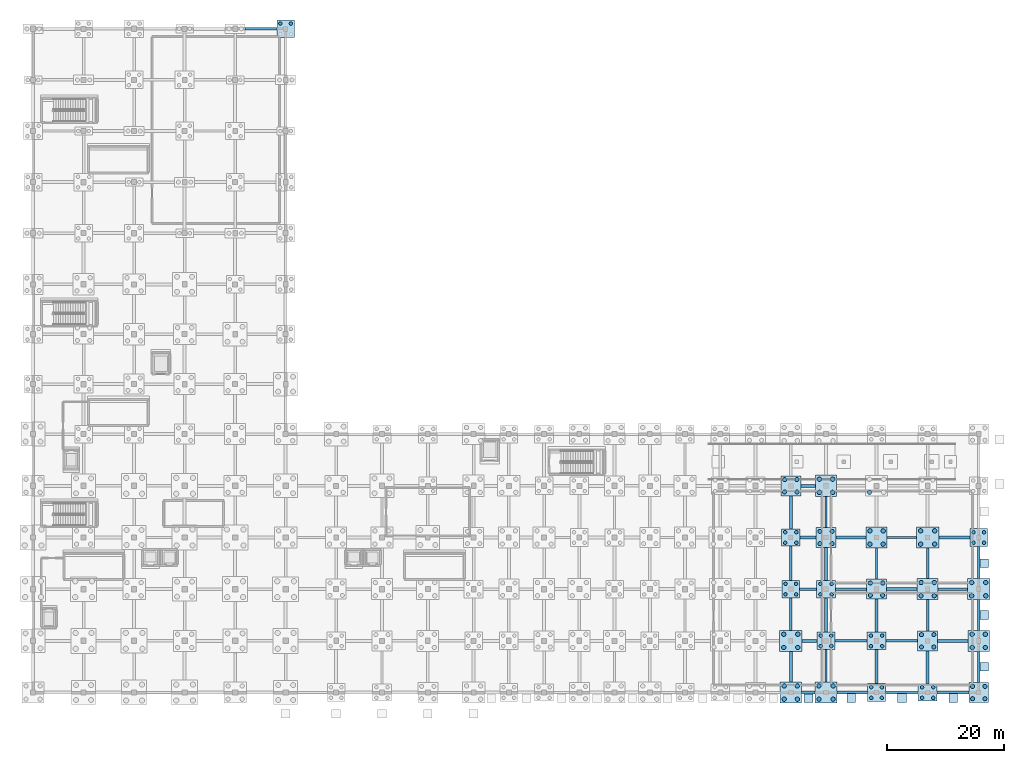
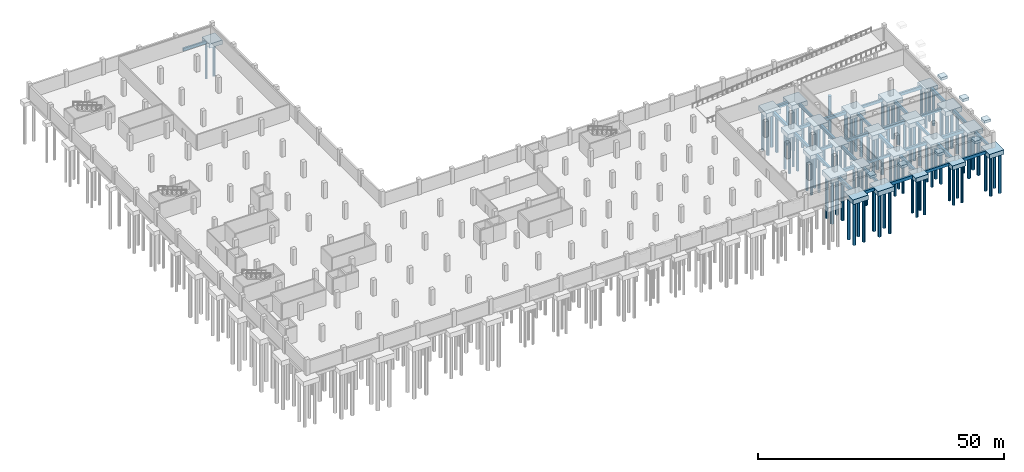
# One storey, part 9 of 28: 91 piles, 65 footings.
"""IFC4 building model written with IfcOpenShell, lengths in metres."""

from ifc_helpers import new_model, si_unit, direction, frame, origin, origin_2d, place, context, subcontext, project, spatial, rectangle, circle, extrude, material, material_profile, profile_set, type_object, element, save


model = new_model("IFC4")

# Units and contexts
model_context = context("Model", 3, precision=1e-05, world=origin(), true_north=direction((0.0, 1.0)))
body_context = subcontext(model_context, "Body", "Model", "MODEL_VIEW")
ifc_project = project(units=[si_unit("LENGTHUNIT", "METRE"), si_unit("AREAUNIT", "SQUARE_METRE"), si_unit("VOLUMEUNIT", "CUBIC_METRE"), si_unit("PLANEANGLEUNIT", "RADIAN"), si_unit("MASSUNIT", "GRAM", prefix="KILO")], contexts=[model_context])

# Site, building, storey
site_placement = place(None, origin())
site = spatial("IfcSite", under=ifc_project, at=site_placement, CompositionType="ELEMENT")
building_placement = place(site_placement, origin())
building = spatial("IfcBuilding", under=site, at=building_placement, Name="Varnakota Cinema and Media Centre", CompositionType="ELEMENT")
storey_placement = place(building_placement, frame((0.0, 0.0, -4.199951171875)))
storey = spatial("IfcBuildingStorey", under=building, at=storey_placement, Name="B1", CompositionType="ELEMENT", Elevation=-4.199951171875)

# Footings
ifc_material_1 = material(Name="Concrete M35", Category="concrete")
ifc_material_profile_1 = material_profile(ifc_material_1, rectangle(XDim=0.39990234375, YDim=0.699951171875, at=origin_2d()), Name="FB 400x700")
ifc_profile_set_1 = profile_set([ifc_material_profile_1], Name="Concrete M35")
footing_type_1 = type_object("IfcFootingType", Name="FB-400x700", PredefinedType="FOOTING_BEAM", material=ifc_profile_set_1)
footing_1_placement = place(storey_placement, frame((145.10009765625, 0.0, -0.60009765625), z_axis=(1.0, 0.0, 0.0), x_axis=(0.0, 1.0, 0.0)))
element("IfcFooting", 1, at=footing_1_placement, inside=storey, type_object=footing_type_1, Name="Foundation tie beam W-X/1", PredefinedType="FOOTING_BEAM", context=body_context, shape_type="SweptSolid", body=[
    extrude(rectangle(XDim=0.39990234375, YDim=0.699951171875, at=origin_2d()), origin(), (0.0, 0.0, 1.0), 5.599853515625),
])
footing_2_placement = place(storey_placement, frame((136.5, 8.800048828125, -0.60009765625), z_axis=(1.0, 0.0, 0.0), x_axis=(0.0, 1.0, 0.0)))
element("IfcFooting", 2, at=footing_2_placement, inside=storey, type_object=footing_type_1, Name="Foundation tie beam V-W/2", PredefinedType="FOOTING_BEAM", context=body_context, shape_type="SweptSolid", body=[
    extrude(rectangle(XDim=0.39990234375, YDim=0.699951171875, at=origin_2d()), origin(), (0.0, 0.0, 1.0), 5.5),
])
footing_3_placement = place(storey_placement, frame((130.5, 17.60009765625, -0.60009765625), z_axis=(1.0, 0.0, 0.0), x_axis=(0.0, 1.0, 0.0)))
element("IfcFooting", 3, at=footing_3_placement, inside=storey, type_object=footing_type_1, Name="Foundation tie beam U-V/3", PredefinedType="FOOTING_BEAM", context=body_context, shape_type="SweptSolid", body=[
    extrude(rectangle(XDim=0.39990234375, YDim=0.699951171875, at=origin_2d()), origin(), (0.0, 0.0, 1.0), 2.89990234375),
])
for number, where, z_axis, x_axis, name in (
    (4, (154.10009765625, 17.60009765625, -0.60009765625), (1.0, 0.0, 0.0), (0.0, 1.0, 0.0), "Foundation tie beam X-Y/3"),
    (5, (145.39990234375, 26.39990234375, -0.60009765625), (1.0, 0.0, 0.0), (0.0, 1.0, 0.0), "Foundation tie beam W-X/4"),
):
    element("IfcFooting", number, at=place(storey_placement, frame(where, z_axis=z_axis, x_axis=x_axis)), inside=storey, type_object=footing_type_1, Name=name, PredefinedType="FOOTING_BEAM", context=body_context, shape_type="SweptSolid", body=[
        extrude(rectangle(XDim=0.39990234375, YDim=0.699951171875, at=origin_2d()), origin(), (0.0, 0.0, 1.0), 5.0),
    ])
footing_4_placement = place(storey_placement, frame((36.10009765625, 113.0, -0.60009765625), z_axis=(1.0, 0.0, 0.0), x_axis=(0.0, 1.0, 0.0)))
element("IfcFooting", 6, at=footing_4_placement, inside=storey, type_object=footing_type_1, Name="Foundation tie beam E-F/14", PredefinedType="FOOTING_BEAM", context=body_context, shape_type="SweptSolid", body=[
    extrude(rectangle(XDim=0.39990234375, YDim=0.699951171875, at=origin_2d()), origin(), (0.0, 0.0, 1.0), 5.39990234375),
])
for number, where, z_axis, x_axis, name in (
    (7, (129.0, 10.574951171875, -0.60009765625), (0.0, 1.0, 0.0), (-1.0, 0.0, 0.0), "Foundation tie beam U/2-3"),
    (8, (135.0, 1.77490234375, -0.60009765625), (0.0, 1.0, 0.0), (-1.0, 0.0, 0.0), "Foundation tie beam V/1-2"),
):
    element("IfcFooting", number, at=place(storey_placement, frame(where, z_axis=z_axis, x_axis=x_axis)), inside=storey, type_object=footing_type_1, Name=name, PredefinedType="FOOTING_BEAM", context=body_context, shape_type="SweptSolid", body=[
        extrude(rectangle(XDim=0.39990234375, YDim=0.699951171875, at=origin_2d()), origin(), (0.0, 0.0, 1.0), 5.525146484375),
    ])
footing_5_placement = place(storey_placement, frame((135.0, 28.10009765625, -0.60009765625), z_axis=(0.0, 1.0, 0.0), x_axis=(-1.0, 0.0, 0.0)))
element("IfcFooting", 9, at=footing_5_placement, inside=storey, type_object=footing_type_1, Name="Foundation tie beam V/4-5", PredefinedType="FOOTING_BEAM", context=body_context, shape_type="SweptSolid", body=[
    extrude(rectangle(XDim=0.39990234375, YDim=0.699951171875, at=origin_2d()), origin(), (0.0, 0.0, 1.0), 5.2998046875),
])
for number, where, z_axis, x_axis, name in (
    (10, (143.60009765625, 19.300048828125, -0.60009765625), (0.0, 1.0, 0.0), (-1.0, 0.0, 0.0), "Foundation tie beam W/3-4"),
    (11, (152.300048828125, 10.5, -0.60009765625), (0.0, 1.0, 0.0), (-1.0, 0.0, 0.0), "Foundation tie beam X/2-3"),
    (12, (161.0, 1.699951171875, -0.60009765625), (0.0, 1.0, 0.0), (-1.0, 0.0, 0.0), "Foundation tie beam Y/1-2"),
):
    element("IfcFooting", number, at=place(storey_placement, frame(where, z_axis=z_axis, x_axis=x_axis)), inside=storey, type_object=footing_type_1, Name=name, PredefinedType="FOOTING_BEAM", context=body_context, shape_type="SweptSolid", body=[
        extrude(rectangle(XDim=0.39990234375, YDim=0.699951171875, at=origin_2d()), origin(), (0.0, 0.0, 1.0), 5.300048828125),
    ])
ifc_material_2 = material(Name="Concrete M35", Category="concrete")
ifc_material_profile_2 = material_profile(ifc_material_2, rectangle(XDim=0.449951171875, YDim=0.75, at=origin_2d()), Name="FB 450x750")
ifc_profile_set_2 = profile_set([ifc_material_profile_2], Name="Concrete M35")
footing_type_2 = type_object("IfcFootingType", Name="FB-450x750", PredefinedType="FOOTING_BEAM", material=ifc_profile_set_2)
footing_6_placement = place(storey_placement, frame((130.800048828125, 0.0, -0.625), z_axis=(1.0, 0.0, 0.0), x_axis=(0.0, 1.0, 0.0)))
element("IfcFooting", 13, at=footing_6_placement, inside=storey, type_object=footing_type_2, Name="Foundation tie beam U-V/1", PredefinedType="FOOTING_BEAM", context=body_context, shape_type="SweptSolid", body=[
    extrude(rectangle(XDim=0.449951171875, YDim=0.75, at=origin_2d()), origin(), (0.0, 0.0, 1.0), 2.300048828125),
])
for number, where, z_axis, x_axis, name in (
    (14, (153.89990234375, 0.0, -0.625), (1.0, 0.0, 0.0), (0.0, 1.0, 0.0), "Foundation tie beam X-Y/1"),
    (15, (145.199951171875, 8.800048828125, -0.625), (1.0, 0.0, 0.0), (0.0, 1.0, 0.0), "Foundation tie beam W-X/2"),
):
    element("IfcFooting", number, at=place(storey_placement, frame(where, z_axis=z_axis, x_axis=x_axis)), inside=storey, type_object=footing_type_2, Name=name, PredefinedType="FOOTING_BEAM", context=body_context, shape_type="SweptSolid", body=[
        extrude(rectangle(XDim=0.449951171875, YDim=0.75, at=origin_2d()), origin(), (0.0, 0.0, 1.0), 5.400146484375),
    ])
footing_7_placement = place(storey_placement, frame((136.60009765625, 17.60009765625, -0.625), z_axis=(1.0, 0.0, 0.0), x_axis=(0.0, 1.0, 0.0)))
element("IfcFooting", 16, at=footing_7_placement, inside=storey, type_object=footing_type_2, Name="Foundation tie beam V-W/3", PredefinedType="FOOTING_BEAM", context=body_context, shape_type="SweptSolid", body=[
    extrude(rectangle(XDim=0.449951171875, YDim=0.75, at=origin_2d()), origin(), (0.0, 0.0, 1.0), 5.2998046875),
])
footing_8_placement = place(storey_placement, frame((130.60009765625, 26.39990234375, -0.625), z_axis=(1.0, 0.0, 0.0), x_axis=(0.0, 1.0, 0.0)))
element("IfcFooting", 17, at=footing_8_placement, inside=storey, type_object=footing_type_2, Name="Foundation tie beam U-V/4", PredefinedType="FOOTING_BEAM", context=body_context, shape_type="SweptSolid", body=[
    extrude(rectangle(XDim=0.449951171875, YDim=0.75, at=origin_2d()), origin(), (0.0, 0.0, 1.0), 2.699951171875),
])
footing_9_placement = place(storey_placement, frame((154.199951171875, 26.39990234375, -0.625), z_axis=(1.0, 0.0, 0.0), x_axis=(0.0, 1.0, 0.0)))
element("IfcFooting", 18, at=footing_9_placement, inside=storey, type_object=footing_type_2, Name="Foundation tie beam X-Y/4", PredefinedType="FOOTING_BEAM", context=body_context, shape_type="SweptSolid", body=[
    extrude(rectangle(XDim=0.449951171875, YDim=0.75, at=origin_2d()), origin(), (0.0, 0.0, 1.0), 5.300048828125),
])
for number, where, z_axis, x_axis, name in (
    (19, (129.0, 19.10009765625, -0.625), (0.0, 1.0, 0.0), (-1.0, 0.0, 0.0), "Foundation tie beam U/3-4"),
    (20, (135.0, 10.300048828125, -0.625), (0.0, 1.0, 0.0), (-1.0, 0.0, 0.0), "Foundation tie beam V/2-3"),
    (21, (143.60009765625, 1.5, -0.625), (0.0, 1.0, 0.0), (-1.0, 0.0, 0.0), "Foundation tie beam W/1-2"),
):
    element("IfcFooting", number, at=place(storey_placement, frame(where, z_axis=z_axis, x_axis=x_axis)), inside=storey, type_object=footing_type_2, Name=name, PredefinedType="FOOTING_BEAM", context=body_context, shape_type="SweptSolid", body=[
        extrude(rectangle(XDim=0.449951171875, YDim=0.75, at=origin_2d()), origin(), (0.0, 0.0, 1.0), 5.824951171875),
    ])
footing_10_placement = place(storey_placement, frame((152.300048828125, 19.39990234375, -0.625), z_axis=(0.0, 1.0, 0.0), x_axis=(-1.0, 0.0, 0.0)))
element("IfcFooting", 22, at=footing_10_placement, inside=storey, type_object=footing_type_2, Name="Foundation tie beam X/3-4", PredefinedType="FOOTING_BEAM", context=body_context, shape_type="SweptSolid", body=[
    extrude(rectangle(XDim=0.449951171875, YDim=0.75, at=origin_2d()), origin(), (0.0, 0.0, 1.0), 5.22509765625),
])
footing_11_placement = place(storey_placement, frame((161.0, 10.60009765625, -0.625), z_axis=(0.0, 1.0, 0.0), x_axis=(-1.0, 0.0, 0.0)))
element("IfcFooting", 23, at=footing_11_placement, inside=storey, type_object=footing_type_2, Name="Foundation tie beam Y/2-3", PredefinedType="FOOTING_BEAM", context=body_context, shape_type="SweptSolid", body=[
    extrude(rectangle(XDim=0.449951171875, YDim=0.75, at=origin_2d()), origin(), (0.0, 0.0, 1.0), 5.224853515625),
])
ifc_material_3 = material(Name="Concrete M35", Category="concrete")
ifc_material_profile_3 = material_profile(ifc_material_3, rectangle(XDim=0.5, YDim=0.800048828125, at=origin_2d()), Name="FB 500x800")
ifc_profile_set_3 = profile_set([ifc_material_profile_3], Name="Concrete M35")
footing_type_3 = type_object("IfcFootingType", Name="FB-500x800", PredefinedType="FOOTING_BEAM", material=ifc_profile_set_3)
footing_12_placement = place(storey_placement, frame((136.89990234375, 0.0, -0.650146484375), z_axis=(1.0, 0.0, 0.0), x_axis=(0.0, 1.0, 0.0)))
element("IfcFooting", 24, at=footing_12_placement, inside=storey, type_object=footing_type_3, Name="Foundation tie beam V-W/1", PredefinedType="FOOTING_BEAM", context=body_context, shape_type="SweptSolid", body=[
    extrude(rectangle(XDim=0.5, YDim=0.800048828125, at=origin_2d()), origin(), (0.0, 0.0, 1.0), 5.2001953125),
])
footing_13_placement = place(storey_placement, frame((130.89990234375, 8.800048828125, -0.650146484375), z_axis=(1.0, 0.0, 0.0), x_axis=(0.0, 1.0, 0.0)))
element("IfcFooting", 25, at=footing_13_placement, inside=storey, type_object=footing_type_3, Name="Foundation tie beam U-V/2", PredefinedType="FOOTING_BEAM", context=body_context, shape_type="SweptSolid", body=[
    extrude(rectangle(XDim=0.5, YDim=0.800048828125, at=origin_2d()), origin(), (0.0, 0.0, 1.0), 2.60009765625),
])
for number, where, z_axis, x_axis, name in (
    (26, (154.0, 8.800048828125, -0.650146484375), (1.0, 0.0, 0.0), (0.0, 1.0, 0.0), "Foundation tie beam X-Y/2"),
    (27, (145.300048828125, 17.60009765625, -0.650146484375), (1.0, 0.0, 0.0), (0.0, 1.0, 0.0), "Foundation tie beam W-X/3"),
):
    element("IfcFooting", number, at=place(storey_placement, frame(where, z_axis=z_axis, x_axis=x_axis)), inside=storey, type_object=footing_type_3, Name=name, PredefinedType="FOOTING_BEAM", context=body_context, shape_type="SweptSolid", body=[
        extrude(rectangle(XDim=0.5, YDim=0.800048828125, at=origin_2d()), origin(), (0.0, 0.0, 1.0), 5.199951171875),
    ])
footing_14_placement = place(storey_placement, frame((136.699951171875, 26.39990234375, -0.650146484375), z_axis=(1.0, 0.0, 0.0), x_axis=(0.0, 1.0, 0.0)))
element("IfcFooting", 28, at=footing_14_placement, inside=storey, type_object=footing_type_3, Name="Foundation tie beam V-W/4", PredefinedType="FOOTING_BEAM", context=body_context, shape_type="SweptSolid", body=[
    extrude(rectangle(XDim=0.5, YDim=0.800048828125, at=origin_2d()), origin(), (0.0, 0.0, 1.0), 5.10009765625),
])
footing_15_placement = place(storey_placement, frame((130.699951171875, 35.199951171875, -0.650146484375), z_axis=(1.0, 0.0, 0.0), x_axis=(0.0, 1.0, 0.0)))
element("IfcFooting", 29, at=footing_15_placement, inside=storey, type_object=footing_type_3, Name="Foundation tie beam U-V/5", PredefinedType="FOOTING_BEAM", context=body_context, shape_type="SweptSolid", body=[
    extrude(rectangle(XDim=0.5, YDim=0.800048828125, at=origin_2d()), origin(), (0.0, 0.0, 1.0), 2.5),
])
footing_16_placement = place(storey_placement, frame((129.0, 1.800048828125, -0.650146484375), z_axis=(0.0, 1.0, 0.0), x_axis=(-1.0, 0.0, 0.0)))
element("IfcFooting", 30, at=footing_16_placement, inside=storey, type_object=footing_type_3, Name="Foundation tie beam U/1-2", PredefinedType="FOOTING_BEAM", context=body_context, shape_type="SweptSolid", body=[
    extrude(rectangle(XDim=0.5, YDim=0.800048828125, at=origin_2d()), origin(), (0.0, 0.0, 1.0), 5.224853515625),
])
for number, where, z_axis, x_axis, name in (
    (31, (129.0, 27.875, -0.650146484375), (0.0, 1.0, 0.0), (-1.0, 0.0, 0.0), "Foundation tie beam U/4-5"),
    (32, (135.0, 19.074951171875, -0.650146484375), (0.0, 1.0, 0.0), (-1.0, 0.0, 0.0), "Foundation tie beam V/3-4"),
    (33, (143.60009765625, 10.27490234375, -0.650146484375), (0.0, 1.0, 0.0), (-1.0, 0.0, 0.0), "Foundation tie beam W/2-3"),
    (34, (152.300048828125, 1.47509765625, -0.650146484375), (0.0, 1.0, 0.0), (-1.0, 0.0, 0.0), "Foundation tie beam X/1-2"),
):
    element("IfcFooting", number, at=place(storey_placement, frame(where, z_axis=z_axis, x_axis=x_axis)), inside=storey, type_object=footing_type_3, Name=name, PredefinedType="FOOTING_BEAM", context=body_context, shape_type="SweptSolid", body=[
        extrude(rectangle(XDim=0.5, YDim=0.800048828125, at=origin_2d()), origin(), (0.0, 0.0, 1.0), 5.625),
    ])
footing_17_placement = place(storey_placement, frame((161.0, 19.375, -0.650146484375), z_axis=(0.0, 1.0, 0.0), x_axis=(-1.0, 0.0, 0.0)))
element("IfcFooting", 35, at=footing_17_placement, inside=storey, type_object=footing_type_3, Name="Foundation tie beam Y/3-4", PredefinedType="FOOTING_BEAM", context=body_context, shape_type="SweptSolid", body=[
    extrude(rectangle(XDim=0.5, YDim=0.800048828125, at=origin_2d()), origin(), (0.0, 0.0, 1.0), 5.52490234375),
])
ifc_material_4 = material(Name="Concrete M35", Category="concrete")
footing_type_4 = type_object("IfcFootingType", Name="PC-4P-600", PredefinedType="PILE_CAP", material=ifc_material_4)
for number, where, z_axis, x_axis, name in (
    (36, (43.0, 113.0, -1.30029296875), (0.0, 0.0, 1.0), (1.0, 0.0, 0.0), "Pile cap F/14"),
    (37, (129.0, 17.60009765625, -1.30029296875), (0.0, 0.0, 1.0), (1.0, 0.0, 0.0), "Pile cap U/3"),
    (38, (135.0, 8.800048828125, -1.30029296875), (0.0, 0.0, 1.0), (1.0, 0.0, 0.0), "Pile cap V/2"),
    (39, (143.60009765625, 0.0, -1.30029296875), (0.0, 0.0, 1.0), (1.0, 0.0, 0.0), "Pile cap W/1"),
    (40, (161.0, 26.39990234375, -1.30029296875), (0.0, 0.0, 1.0), (1.0, 0.0, 0.0), "Pile cap Y/4"),
):
    element("IfcFooting", number, at=place(storey_placement, frame(where, z_axis=z_axis, x_axis=x_axis)), inside=storey, type_object=footing_type_4, Name=name, PredefinedType="PILE_CAP", context=body_context, shape_type="SweptSolid", body=[
        extrude(rectangle(XDim=3.0, YDim=3.0, at=origin_2d()), origin(), (0.0, 0.0, 1.0), 1.050048828125),
    ])
ifc_material_5 = material(Name="Concrete M35", Category="concrete")
footing_type_5 = type_object("IfcFootingType", Name="PC-4P-600R", PredefinedType="PILE_CAP", material=ifc_material_5)
for number, where, z_axis, x_axis, name in (
    (41, (129.0, 26.39990234375, -1.330078125), (0.0, 0.0, 1.0), (1.0, 0.0, 0.0), "Pile cap U/4"),
    (42, (135.0, 17.60009765625, -1.330078125), (0.0, 0.0, 1.0), (1.0, 0.0, 0.0), "Pile cap V/3"),
    (43, (143.60009765625, 8.800048828125, -1.330078125), (0.0, 0.0, 1.0), (1.0, 0.0, 0.0), "Pile cap W/2"),
    (44, (152.300048828125, 0.0, -1.330078125), (0.0, 0.0, 1.0), (1.0, 0.0, 0.0), "Pile cap X/1"),
):
    element("IfcFooting", number, at=place(storey_placement, frame(where, z_axis=z_axis, x_axis=x_axis)), inside=storey, type_object=footing_type_5, Name=name, PredefinedType="PILE_CAP", context=body_context, shape_type="SweptSolid", body=[
        extrude(rectangle(XDim=3.199951171875, YDim=2.949951171875, at=origin_2d()), origin(), (0.0, 0.0, 1.0), 1.080078125),
    ])
ifc_material_6 = material(Name="Concrete M35", Category="concrete")
footing_type_6 = type_object("IfcFootingType", Name="PC-4P-700", PredefinedType="PILE_CAP", material=ifc_material_6)
for number, where, z_axis, x_axis, name in (
    (45, (129.0, 35.199951171875, -1.3701171875), (0.0, 0.0, 1.0), (1.0, 0.0, 0.0), "Pile cap U/5"),
    (46, (135.0, 26.39990234375, -1.3701171875), (0.0, 0.0, 1.0), (1.0, 0.0, 0.0), "Pile cap V/4"),
    (47, (143.60009765625, 17.60009765625, -1.3701171875), (0.0, 0.0, 1.0), (1.0, 0.0, 0.0), "Pile cap W/3"),
    (48, (152.300048828125, 8.800048828125, -1.3701171875), (0.0, 0.0, 1.0), (1.0, 0.0, 0.0), "Pile cap X/2"),
    (49, (161.0, 0.0, -1.3701171875), (0.0, 0.0, 1.0), (1.0, 0.0, 0.0), "Pile cap Y/1"),
):
    element("IfcFooting", number, at=place(storey_placement, frame(where, z_axis=z_axis, x_axis=x_axis)), inside=storey, type_object=footing_type_6, Name=name, PredefinedType="PILE_CAP", context=body_context, shape_type="SweptSolid", body=[
        extrude(rectangle(XDim=3.39990234375, YDim=3.39990234375, at=origin_2d()), origin(), (0.0, 0.0, 1.0), 1.1201171875),
    ])
ifc_material_7 = material(Name="Concrete M35", Category="concrete")
footing_type_7 = type_object("IfcFootingType", Name="PC-4P-750", PredefinedType="PILE_CAP", material=ifc_material_7)
for number, where, z_axis, x_axis, name in (
    (50, (129.0, 0.0, -1.43017578125), (0.0, 0.0, 1.0), (1.0, 0.0, 0.0), "Pile cap U/1"),
    (51, (135.0, 35.199951171875, -1.43017578125), (0.0, 0.0, 1.0), (1.0, 0.0, 0.0), "Pile cap V/5"),
    (52, (143.60009765625, 26.39990234375, -1.43017578125), (0.0, 0.0, 1.0), (1.0, 0.0, 0.0), "Pile cap W/4"),
    (53, (152.300048828125, 17.60009765625, -1.43017578125), (0.0, 0.0, 1.0), (1.0, 0.0, 0.0), "Pile cap X/3"),
    (54, (161.0, 8.800048828125, -1.43017578125), (0.0, 0.0, 1.0), (1.0, 0.0, 0.0), "Pile cap Y/2"),
):
    element("IfcFooting", number, at=place(storey_placement, frame(where, z_axis=z_axis, x_axis=x_axis)), inside=storey, type_object=footing_type_7, Name=name, PredefinedType="PILE_CAP", context=body_context, shape_type="SweptSolid", body=[
        extrude(rectangle(XDim=3.60009765625, YDim=3.60009765625, at=origin_2d()), origin(), (0.0, 0.0, 1.0), 1.179931640625),
    ])
ifc_material_8 = material(Name="Concrete M35", Category="concrete")
footing_type_8 = type_object("IfcFootingType", Name="PC-4P-750R", PredefinedType="PILE_CAP", material=ifc_material_8)
for number, where, z_axis, x_axis, name in (
    (55, (129.0, 8.800048828125, -1.4501953125), (0.0, 0.0, 1.0), (1.0, 0.0, 0.0), "Pile cap U/2"),
    (56, (135.0, 0.0, -1.4501953125), (0.0, 0.0, 1.0), (1.0, 0.0, 0.0), "Pile cap V/1"),
    (57, (152.300048828125, 26.39990234375, -1.4501953125), (0.0, 0.0, 1.0), (1.0, 0.0, 0.0), "Pile cap X/4"),
    (58, (161.0, 17.60009765625, -1.4501953125), (0.0, 0.0, 1.0), (1.0, 0.0, 0.0), "Pile cap Y/3"),
):
    element("IfcFooting", number, at=place(storey_placement, frame(where, z_axis=z_axis, x_axis=x_axis)), inside=storey, type_object=footing_type_8, Name=name, PredefinedType="PILE_CAP", context=body_context, shape_type="SweptSolid", body=[
        extrude(rectangle(XDim=3.800048828125, YDim=3.550048828125, at=origin_2d()), origin(), (0.0, 0.0, 1.0), 1.199951171875),
    ])
ifc_material_9 = material(Name="Concrete M35", Category="concrete")
footing_type_9 = type_object("IfcFootingType", Name="PF-150", PredefinedType="PAD_FOOTING", material=ifc_material_9)
for number, where, z_axis, x_axis, name in (
    (59, (132.0, -0.949951171875, 3.52490234375), (0.0, 0.0, 1.0), (1.0, 0.0, 0.0), "Hall south buttress pad footing 10"),
    (60, (139.300048828125, -0.949951171875, 3.52490234375), (0.0, 0.0, 1.0), (1.0, 0.0, 0.0), "Hall south buttress pad footing 11"),
    (61, (147.949951171875, -0.949951171875, 3.52490234375), (0.0, 0.0, 1.0), (1.0, 0.0, 0.0), "Hall south buttress pad footing 12"),
    (62, (156.64990234375, -0.949951171875, 3.52490234375), (0.0, 0.0, 1.0), (1.0, 0.0, 0.0), "Hall south buttress pad footing 13"),
    (63, (161.949951171875, 4.39990234375, 3.52490234375), (0.0, 0.0, 1.0), (1.0, 0.0, 0.0), "Hall east buttress pad footing 1"),
    (64, (161.949951171875, 13.199951171875, 3.52490234375), (0.0, 0.0, 1.0), (1.0, 0.0, 0.0), "Hall east buttress pad footing 2"),
    (65, (161.949951171875, 22.0, 3.52490234375), (0.0, 0.0, 1.0), (1.0, 0.0, 0.0), "Hall east buttress pad footing 3"),
):
    element("IfcFooting", number, at=place(storey_placement, frame(where, z_axis=z_axis, x_axis=x_axis)), inside=storey, type_object=footing_type_9, Name=name, PredefinedType="PAD_FOOTING", context=body_context, shape_type="SweptSolid", body=[
        extrude(rectangle(XDim=1.5, YDim=1.5, at=origin_2d()), origin(), (0.0, 0.0, 1.0), 0.64990234375),
    ])

# Piles
ifc_material_10 = material(Name="Concrete M35", Category="concrete")
ifc_material_profile_4 = material_profile(ifc_material_10, circle(Radius=0.300048828125, at=origin_2d()), Name="PILE D600")
ifc_profile_set_4 = profile_set([ifc_material_profile_4], Name="Concrete M35")
pile_type_1 = type_object("IfcPileType", Name="PILE-D600", PredefinedType="BORED", material=ifc_profile_set_4)
for number, where, z_axis, x_axis, name in (
    (66, (42.10009765625, 113.89990234375, -1.199951171875), (0.0, 0.0, -1.0), (1.0, 0.0, 0.0), "Bored pile F/14-3"),
    (67, (43.89990234375, 113.89990234375, -1.199951171875), (0.0, 0.0, -1.0), (1.0, 0.0, 0.0), "Bored pile F/14-4"),
    (68, (128.10009765625, 16.699951171875, -1.199951171875), (0.0, 0.0, -1.0), (1.0, 0.0, 0.0), "Bored pile U/3-1"),
    (69, (129.89990234375, 16.699951171875, -1.199951171875), (0.0, 0.0, -1.0), (1.0, 0.0, 0.0), "Bored pile U/3-2"),
    (70, (128.10009765625, 18.5, -1.199951171875), (0.0, 0.0, -1.0), (1.0, 0.0, 0.0), "Bored pile U/3-3"),
    (71, (129.89990234375, 18.5, -1.199951171875), (0.0, 0.0, -1.0), (1.0, 0.0, 0.0), "Bored pile U/3-4"),
    (72, (128.050048828125, 25.5, -1.22998046875), (0.0, 0.0, -1.0), (1.0, 0.0, 0.0), "Bored pile U/4-1"),
    (73, (129.949951171875, 25.5, -1.22998046875), (0.0, 0.0, -1.0), (1.0, 0.0, 0.0), "Bored pile U/4-2"),
    (74, (128.050048828125, 27.300048828125, -1.22998046875), (0.0, 0.0, -1.0), (1.0, 0.0, 0.0), "Bored pile U/4-3"),
    (75, (129.949951171875, 27.300048828125, -1.22998046875), (0.0, 0.0, -1.0), (1.0, 0.0, 0.0), "Bored pile U/4-4"),
    (76, (134.10009765625, 7.89990234375, -1.199951171875), (0.0, 0.0, -1.0), (1.0, 0.0, 0.0), "Bored pile V/2-1"),
    (77, (135.89990234375, 7.89990234375, -1.199951171875), (0.0, 0.0, -1.0), (1.0, 0.0, 0.0), "Bored pile V/2-2"),
    (78, (134.10009765625, 9.699951171875, -1.199951171875), (0.0, 0.0, -1.0), (1.0, 0.0, 0.0), "Bored pile V/2-3"),
    (79, (135.89990234375, 9.699951171875, -1.199951171875), (0.0, 0.0, -1.0), (1.0, 0.0, 0.0), "Bored pile V/2-4"),
    (80, (134.050048828125, 16.699951171875, -1.22998046875), (0.0, 0.0, -1.0), (1.0, 0.0, 0.0), "Bored pile V/3-1"),
    (81, (135.949951171875, 16.699951171875, -1.22998046875), (0.0, 0.0, -1.0), (1.0, 0.0, 0.0), "Bored pile V/3-2"),
    (82, (134.050048828125, 18.5, -1.22998046875), (0.0, 0.0, -1.0), (1.0, 0.0, 0.0), "Bored pile V/3-3"),
    (83, (135.949951171875, 18.5, -1.22998046875), (0.0, 0.0, -1.0), (1.0, 0.0, 0.0), "Bored pile V/3-4"),
    (84, (142.699951171875, -0.89990234375, -1.199951171875), (0.0, 0.0, -1.0), (1.0, 0.0, 0.0), "Bored pile W/1-1"),
    (85, (144.5, -0.89990234375, -1.199951171875), (0.0, 0.0, -1.0), (1.0, 0.0, 0.0), "Bored pile W/1-2"),
    (86, (142.699951171875, 0.89990234375, -1.199951171875), (0.0, 0.0, -1.0), (1.0, 0.0, 0.0), "Bored pile W/1-3"),
    (87, (144.5, 0.89990234375, -1.199951171875), (0.0, 0.0, -1.0), (1.0, 0.0, 0.0), "Bored pile W/1-4"),
    (88, (142.64990234375, 7.89990234375, -1.22998046875), (0.0, 0.0, -1.0), (1.0, 0.0, 0.0), "Bored pile W/2-1"),
    (89, (144.550048828125, 7.89990234375, -1.22998046875), (0.0, 0.0, -1.0), (1.0, 0.0, 0.0), "Bored pile W/2-2"),
    (90, (142.64990234375, 9.699951171875, -1.22998046875), (0.0, 0.0, -1.0), (1.0, 0.0, 0.0), "Bored pile W/2-3"),
    (91, (144.550048828125, 9.699951171875, -1.22998046875), (0.0, 0.0, -1.0), (1.0, 0.0, 0.0), "Bored pile W/2-4"),
    (92, (151.35009765625, -0.89990234375, -1.22998046875), (0.0, 0.0, -1.0), (1.0, 0.0, 0.0), "Bored pile X/1-1"),
    (93, (153.25, -0.89990234375, -1.22998046875), (0.0, 0.0, -1.0), (1.0, 0.0, 0.0), "Bored pile X/1-2"),
    (94, (151.35009765625, 0.89990234375, -1.22998046875), (0.0, 0.0, -1.0), (1.0, 0.0, 0.0), "Bored pile X/1-3"),
    (95, (153.25, 0.89990234375, -1.22998046875), (0.0, 0.0, -1.0), (1.0, 0.0, 0.0), "Bored pile X/1-4"),
    (96, (160.10009765625, 25.5, -1.199951171875), (0.0, 0.0, -1.0), (1.0, 0.0, 0.0), "Bored pile Y/4-1"),
    (97, (161.89990234375, 25.5, -1.199951171875), (0.0, 0.0, -1.0), (1.0, 0.0, 0.0), "Bored pile Y/4-2"),
    (98, (160.10009765625, 27.300048828125, -1.199951171875), (0.0, 0.0, -1.0), (1.0, 0.0, 0.0), "Bored pile Y/4-3"),
    (99, (161.89990234375, 27.300048828125, -1.199951171875), (0.0, 0.0, -1.0), (1.0, 0.0, 0.0), "Bored pile Y/4-4"),
):
    element("IfcPile", number, at=place(storey_placement, frame(where, z_axis=z_axis, x_axis=x_axis)), inside=storey, type_object=pile_type_1, Name=name, PredefinedType="BORED", context=body_context, shape_type="SweptSolid", body=[
        extrude(circle(Radius=0.300048828125, at=origin_2d()), origin(), (0.0, 0.0, 1.0), 9.199951171875),
    ])
ifc_material_11 = material(Name="Concrete M35", Category="concrete")
ifc_material_profile_5 = material_profile(ifc_material_11, circle(Radius=0.35009765625, at=origin_2d()), Name="PILE D700")
ifc_profile_set_5 = profile_set([ifc_material_profile_5], Name="Concrete M35")
pile_type_2 = type_object("IfcPileType", Name="PILE-D700", PredefinedType="BORED", material=ifc_profile_set_5)
for number, where, z_axis, x_axis, name in (
    (100, (127.949951171875, 34.14990234375, -1.27001953125), (0.0, 0.0, -1.0), (1.0, 0.0, 0.0), "Bored pile U/5-1"),
    (101, (130.050048828125, 34.14990234375, -1.27001953125), (0.0, 0.0, -1.0), (1.0, 0.0, 0.0), "Bored pile U/5-2"),
    (102, (127.949951171875, 36.25, -1.27001953125), (0.0, 0.0, -1.0), (1.0, 0.0, 0.0), "Bored pile U/5-3"),
    (103, (130.050048828125, 36.25, -1.27001953125), (0.0, 0.0, -1.0), (1.0, 0.0, 0.0), "Bored pile U/5-4"),
    (104, (133.949951171875, 25.35009765625, -1.27001953125), (0.0, 0.0, -1.0), (1.0, 0.0, 0.0), "Bored pile V/4-1"),
    (105, (136.050048828125, 25.35009765625, -1.27001953125), (0.0, 0.0, -1.0), (1.0, 0.0, 0.0), "Bored pile V/4-2"),
    (106, (133.949951171875, 27.449951171875, -1.27001953125), (0.0, 0.0, -1.0), (1.0, 0.0, 0.0), "Bored pile V/4-3"),
    (107, (136.050048828125, 27.449951171875, -1.27001953125), (0.0, 0.0, -1.0), (1.0, 0.0, 0.0), "Bored pile V/4-4"),
    (108, (142.550048828125, 16.550048828125, -1.27001953125), (0.0, 0.0, -1.0), (1.0, 0.0, 0.0), "Bored pile W/3-1"),
    (109, (144.64990234375, 16.550048828125, -1.27001953125), (0.0, 0.0, -1.0), (1.0, 0.0, 0.0), "Bored pile W/3-2"),
    (110, (142.550048828125, 18.64990234375, -1.27001953125), (0.0, 0.0, -1.0), (1.0, 0.0, 0.0), "Bored pile W/3-3"),
    (111, (144.64990234375, 18.64990234375, -1.27001953125), (0.0, 0.0, -1.0), (1.0, 0.0, 0.0), "Bored pile W/3-4"),
    (112, (151.25, 7.75, -1.27001953125), (0.0, 0.0, -1.0), (1.0, 0.0, 0.0), "Bored pile X/2-1"),
    (113, (153.35009765625, 7.75, -1.27001953125), (0.0, 0.0, -1.0), (1.0, 0.0, 0.0), "Bored pile X/2-2"),
    (114, (151.25, 9.85009765625, -1.27001953125), (0.0, 0.0, -1.0), (1.0, 0.0, 0.0), "Bored pile X/2-3"),
    (115, (153.35009765625, 9.85009765625, -1.27001953125), (0.0, 0.0, -1.0), (1.0, 0.0, 0.0), "Bored pile X/2-4"),
    (116, (159.949951171875, -1.050048828125, -1.27001953125), (0.0, 0.0, -1.0), (1.0, 0.0, 0.0), "Bored pile Y/1-1"),
    (117, (162.050048828125, -1.050048828125, -1.27001953125), (0.0, 0.0, -1.0), (1.0, 0.0, 0.0), "Bored pile Y/1-2"),
    (118, (159.949951171875, 1.050048828125, -1.27001953125), (0.0, 0.0, -1.0), (1.0, 0.0, 0.0), "Bored pile Y/1-3"),
    (119, (162.050048828125, 1.050048828125, -1.27001953125), (0.0, 0.0, -1.0), (1.0, 0.0, 0.0), "Bored pile Y/1-4"),
):
    element("IfcPile", number, at=place(storey_placement, frame(where, z_axis=z_axis, x_axis=x_axis)), inside=storey, type_object=pile_type_2, Name=name, PredefinedType="BORED", context=body_context, shape_type="SweptSolid", body=[
        extrude(circle(Radius=0.35009765625, at=origin_2d()), origin(), (0.0, 0.0, 1.0), 9.800048828125),
    ])
ifc_material_12 = material(Name="Concrete M35", Category="concrete")
ifc_material_profile_6 = material_profile(ifc_material_12, circle(Radius=0.375, at=origin_2d()), Name="PILE D750")
ifc_profile_set_6 = profile_set([ifc_material_profile_6], Name="Concrete M35")
pile_type_3 = type_object("IfcPileType", Name="PILE-D750", PredefinedType="BORED", material=ifc_profile_set_6)
for number, where, z_axis, x_axis, name in (
    (120, (127.875, -1.125, -1.330078125), (0.0, 0.0, -1.0), (1.0, 0.0, 0.0), "Bored pile U/1-1"),
    (121, (130.125, -1.125, -1.330078125), (0.0, 0.0, -1.0), (1.0, 0.0, 0.0), "Bored pile U/1-2"),
    (122, (127.875, 1.125, -1.330078125), (0.0, 0.0, -1.0), (1.0, 0.0, 0.0), "Bored pile U/1-3"),
    (123, (130.125, 1.125, -1.330078125), (0.0, 0.0, -1.0), (1.0, 0.0, 0.0), "Bored pile U/1-4"),
    (124, (127.800048828125, 7.675048828125, -1.35009765625), (0.0, 0.0, -1.0), (1.0, 0.0, 0.0), "Bored pile U/2-1"),
    (125, (130.199951171875, 7.675048828125, -1.35009765625), (0.0, 0.0, -1.0), (1.0, 0.0, 0.0), "Bored pile U/2-2"),
    (126, (127.800048828125, 9.925048828125, -1.35009765625), (0.0, 0.0, -1.0), (1.0, 0.0, 0.0), "Bored pile U/2-3"),
    (127, (130.199951171875, 9.925048828125, -1.35009765625), (0.0, 0.0, -1.0), (1.0, 0.0, 0.0), "Bored pile U/2-4"),
    (128, (133.800048828125, -1.125, -1.35009765625), (0.0, 0.0, -1.0), (1.0, 0.0, 0.0), "Bored pile V/1-1"),
    (129, (136.199951171875, -1.125, -1.35009765625), (0.0, 0.0, -1.0), (1.0, 0.0, 0.0), "Bored pile V/1-2"),
    (130, (133.800048828125, 1.125, -1.35009765625), (0.0, 0.0, -1.0), (1.0, 0.0, 0.0), "Bored pile V/1-3"),
    (131, (136.199951171875, 1.125, -1.35009765625), (0.0, 0.0, -1.0), (1.0, 0.0, 0.0), "Bored pile V/1-4"),
    (132, (133.875, 34.074951171875, -1.330078125), (0.0, 0.0, -1.0), (1.0, 0.0, 0.0), "Bored pile V/5-1"),
    (133, (136.125, 34.074951171875, -1.330078125), (0.0, 0.0, -1.0), (1.0, 0.0, 0.0), "Bored pile V/5-2"),
    (134, (133.875, 36.324951171875, -1.330078125), (0.0, 0.0, -1.0), (1.0, 0.0, 0.0), "Bored pile V/5-3"),
    (135, (136.125, 36.324951171875, -1.330078125), (0.0, 0.0, -1.0), (1.0, 0.0, 0.0), "Bored pile V/5-4"),
    (136, (142.47509765625, 25.27490234375, -1.330078125), (0.0, 0.0, -1.0), (1.0, 0.0, 0.0), "Bored pile W/4-1"),
    (137, (144.72509765625, 25.27490234375, -1.330078125), (0.0, 0.0, -1.0), (1.0, 0.0, 0.0), "Bored pile W/4-2"),
    (138, (142.47509765625, 27.52490234375, -1.330078125), (0.0, 0.0, -1.0), (1.0, 0.0, 0.0), "Bored pile W/4-3"),
    (139, (144.72509765625, 27.52490234375, -1.330078125), (0.0, 0.0, -1.0), (1.0, 0.0, 0.0), "Bored pile W/4-4"),
    (140, (142.39990234375, 34.074951171875, -1.35009765625), (0.0, 0.0, -1.0), (1.0, 0.0, 0.0), "Bored pile W/5-1"),
    (141, (151.175048828125, 16.47509765625, -1.330078125), (0.0, 0.0, -1.0), (1.0, 0.0, 0.0), "Bored pile X/3-1"),
    (142, (153.425048828125, 16.47509765625, -1.330078125), (0.0, 0.0, -1.0), (1.0, 0.0, 0.0), "Bored pile X/3-2"),
    (143, (151.175048828125, 18.72509765625, -1.330078125), (0.0, 0.0, -1.0), (1.0, 0.0, 0.0), "Bored pile X/3-3"),
    (144, (153.425048828125, 18.72509765625, -1.330078125), (0.0, 0.0, -1.0), (1.0, 0.0, 0.0), "Bored pile X/3-4"),
    (145, (151.10009765625, 25.27490234375, -1.35009765625), (0.0, 0.0, -1.0), (1.0, 0.0, 0.0), "Bored pile X/4-1"),
    (146, (153.5, 25.27490234375, -1.35009765625), (0.0, 0.0, -1.0), (1.0, 0.0, 0.0), "Bored pile X/4-2"),
    (147, (151.10009765625, 27.52490234375, -1.35009765625), (0.0, 0.0, -1.0), (1.0, 0.0, 0.0), "Bored pile X/4-3"),
    (148, (153.5, 27.52490234375, -1.35009765625), (0.0, 0.0, -1.0), (1.0, 0.0, 0.0), "Bored pile X/4-4"),
    (149, (159.875, 7.675048828125, -1.330078125), (0.0, 0.0, -1.0), (1.0, 0.0, 0.0), "Bored pile Y/2-1"),
    (150, (162.125, 7.675048828125, -1.330078125), (0.0, 0.0, -1.0), (1.0, 0.0, 0.0), "Bored pile Y/2-2"),
    (151, (159.875, 9.925048828125, -1.330078125), (0.0, 0.0, -1.0), (1.0, 0.0, 0.0), "Bored pile Y/2-3"),
    (152, (162.125, 9.925048828125, -1.330078125), (0.0, 0.0, -1.0), (1.0, 0.0, 0.0), "Bored pile Y/2-4"),
    (153, (159.800048828125, 16.47509765625, -1.35009765625), (0.0, 0.0, -1.0), (1.0, 0.0, 0.0), "Bored pile Y/3-1"),
    (154, (162.199951171875, 16.47509765625, -1.35009765625), (0.0, 0.0, -1.0), (1.0, 0.0, 0.0), "Bored pile Y/3-2"),
    (155, (159.800048828125, 18.72509765625, -1.35009765625), (0.0, 0.0, -1.0), (1.0, 0.0, 0.0), "Bored pile Y/3-3"),
    (156, (162.199951171875, 18.72509765625, -1.35009765625), (0.0, 0.0, -1.0), (1.0, 0.0, 0.0), "Bored pile Y/3-4"),
):
    element("IfcPile", number, at=place(storey_placement, frame(where, z_axis=z_axis, x_axis=x_axis)), inside=storey, type_object=pile_type_3, Name=name, PredefinedType="BORED", context=body_context, shape_type="SweptSolid", body=[
        extrude(circle(Radius=0.375, at=origin_2d()), origin(), (0.0, 0.0, 1.0), 10.60009765625),
    ])

save(model, "model.ifc")
